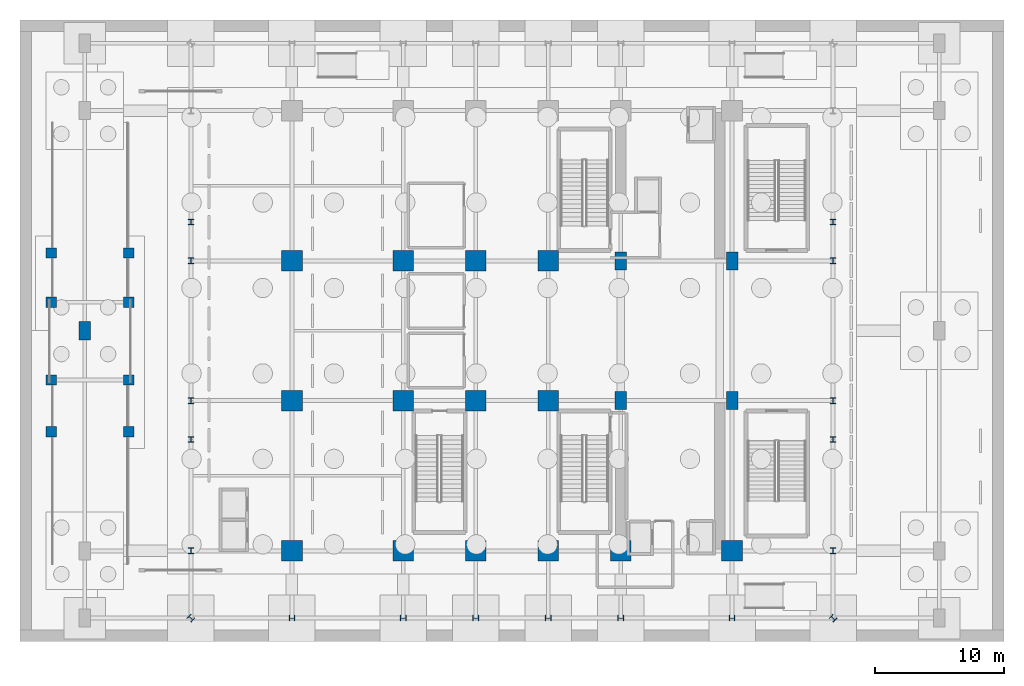
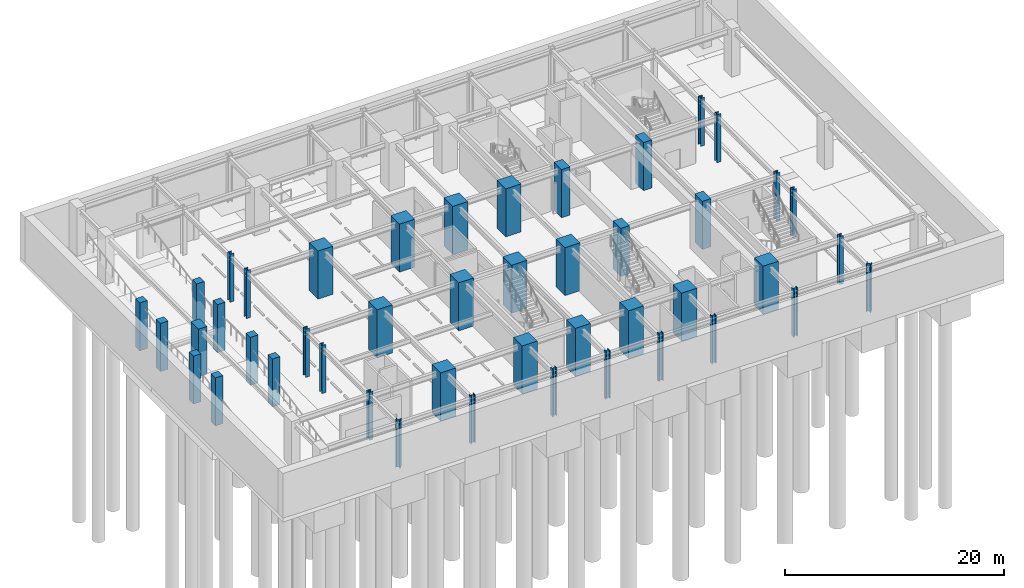
# One storey, part 2 of 14: 45 columns.
"""IFC4 building model written with IfcOpenShell, lengths in metres."""

from ifc_helpers import new_model, si_unit, direction, frame, origin, origin_2d, place, context, subcontext, project, spatial, rectangle, i_section, extrude, source, transform, mapped, material, material_profile, profile_set, type_object, element, save


model = new_model("IFC4")

# Units and contexts
model_context = context("Model", 3, precision=1e-05, world=origin(), true_north=direction((0.0, 1.0)))
body_context = subcontext(model_context, "Body", "Model", "MODEL_VIEW")
ifc_project = project(units=[si_unit("LENGTHUNIT", "METRE"), si_unit("AREAUNIT", "SQUARE_METRE"), si_unit("VOLUMEUNIT", "CUBIC_METRE"), si_unit("PLANEANGLEUNIT", "RADIAN"), si_unit("MASSUNIT", "GRAM", prefix="KILO")], contexts=[model_context])

# Site, building, storey
site_placement = place(None, origin())
site = spatial("IfcSite", under=ifc_project, at=site_placement, CompositionType="ELEMENT")
building_placement = place(site_placement, origin())
building = spatial("IfcBuilding", under=site, at=building_placement, Name="Nahalor Promenade Grand Hotel", CompositionType="ELEMENT")
storey_placement = place(building_placement, frame((0.0, 0.0, -10.800048828125)))
storey = spatial("IfcBuildingStorey", under=building, at=storey_placement, Name="B02", CompositionType="ELEMENT", Elevation=-10.800048828125)

# Columns
ifc_material_1 = material(Name="Concrete B-70 (C60/75)", Category="concrete")
ifc_material_profile_1 = material_profile(ifc_material_1, rectangle(XDim=1.6, YDim=1.6, at=origin_2d()), Name="RC 1600x1600")
ifc_profile_set_1 = profile_set([ifc_material_profile_1], Name="Concrete B-70 (C60/75)")
column_type_1 = type_object("IfcColumnType", Name="Col-RC-1600", PredefinedType="COLUMN", material=ifc_profile_set_1)
shared_shape_1 = source(origin(), body_context, "Body", "SweptSolid", [
    extrude(rectangle(XDim=1.6, YDim=1.6, at=origin_2d()), origin(), (0.0, 0.0, 1.0), 5.35498046875),
])
for number, where, z_axis, x_axis, name in (
    (1, (-17.0, -17.0, 0.0), (0.0, 0.0, 1.0), (1.0, 0.0, 0.0), "COL-B02-I00"),
    (2, (-17.0, -5.39990234375, 0.0), (0.0, 0.0, 1.0), (1.0, 0.0, 0.0), "COL-B02-I01"),
    (3, (-17.0, 5.39990234375, 0.0), (0.0, 0.0, 1.0), (1.0, 0.0, 0.0), "COL-B02-I02"),
    (4, (-8.39990234375, -17.0, 0.0), (0.0, 0.0, 1.0), (1.0, 0.0, 0.0), "COL-B02-I10"),
    (5, (-8.39990234375, -5.39990234375, 0.0), (0.0, 0.0, 1.0), (1.0, 0.0, 0.0), "COL-B02-I11"),
    (6, (-8.39990234375, 5.39990234375, 0.0), (0.0, 0.0, 1.0), (1.0, 0.0, 0.0), "COL-B02-I12"),
    (7, (-2.800048828125, -17.0, 0.0), (0.0, 0.0, 1.0), (1.0, 0.0, 0.0), "COL-B02-I20"),
    (8, (-2.800048828125, -5.39990234375, 0.0), (0.0, 0.0, 1.0), (1.0, 0.0, 0.0), "COL-B02-I21"),
    (9, (-2.800048828125, 5.39990234375, 0.0), (0.0, 0.0, 1.0), (1.0, 0.0, 0.0), "COL-B02-I22"),
    (10, (2.800048828125, -17.0, 0.0), (0.0, 0.0, 1.0), (1.0, 0.0, 0.0), "COL-B02-I30"),
    (11, (2.800048828125, -5.39990234375, 0.0), (0.0, 0.0, 1.0), (1.0, 0.0, 0.0), "COL-B02-I31"),
    (12, (2.800048828125, 5.39990234375, 0.0), (0.0, 0.0, 1.0), (1.0, 0.0, 0.0), "COL-B02-I32"),
    (13, (8.39990234375, -17.0, 0.0), (0.0, 0.0, 1.0), (1.0, 0.0, 0.0), "COL-B02-I40"),
    (14, (17.0, -17.0, 0.0), (0.0, 0.0, 1.0), (1.0, 0.0, 0.0), "COL-B02-I50"),
):
    element("IfcColumn", number, at=place(storey_placement, frame(where, z_axis=z_axis, x_axis=x_axis)), inside=storey, type_object=column_type_1, Name=name, PredefinedType="COLUMN", context=body_context, shape_type="MappedRepresentation", body=[
        mapped(shared_shape_1, transform((0.0, 0.0, 0.0), scale=1.0)),
    ])
ifc_material_2 = material(Name="Concrete B-60 (C50/60)", Category="concrete")
ifc_material_profile_2 = material_profile(ifc_material_2, rectangle(XDim=0.9, YDim=1.4, at=origin_2d()), Name="RC 900x1400")
ifc_profile_set_2 = profile_set([ifc_material_profile_2], Name="Concrete B-60 (C50/60)")
column_type_2 = type_object("IfcColumnType", Name="Col-Pilaster-1400", PredefinedType="PILASTER", material=ifc_profile_set_2)
shared_shape_2 = source(origin(), body_context, "Body", "SweptSolid", [
    extrude(rectangle(XDim=0.9, YDim=1.4, at=origin_2d()), origin(), (0.0, 0.0, 1.0), 5.35498046875),
])
for number, where, z_axis, x_axis, name in (
    (15, (8.39990234375, -5.39990234375, 0.0), (0.0, 0.0, 1.0), (1.0, 0.0, 0.0), "COL-B02-I41"),
    (16, (8.39990234375, 5.39990234375, 0.0), (0.0, 0.0, 1.0), (1.0, 0.0, 0.0), "COL-B02-I42"),
    (17, (17.0, -5.39990234375, 0.0), (0.0, 0.0, 1.0), (1.0, 0.0, 0.0), "COL-B02-I51"),
    (18, (17.0, 5.39990234375, 0.0), (0.0, 0.0, 1.0), (1.0, 0.0, 0.0), "COL-B02-I52"),
    (19, (-33.0, 0.0, 0.0), (0.0, 0.0, 1.0), (1.0, 0.0, 0.0), "COL-B02-PC-W2"),
):
    element("IfcColumn", number, at=place(storey_placement, frame(where, z_axis=z_axis, x_axis=x_axis)), inside=storey, type_object=column_type_2, Name=name, PredefinedType="PILASTER", context=body_context, shape_type="MappedRepresentation", body=[
        mapped(shared_shape_2, transform((0.0, 0.0, 0.0), scale=1.0)),
    ])
ifc_material_3 = material(Name="Concrete B-50 (C40/50)", Category="concrete")
ifc_material_profile_3 = material_profile(ifc_material_3, rectangle(XDim=0.8, YDim=0.8, at=origin_2d()), Name="RC 800x800")
ifc_profile_set_3 = profile_set([ifc_material_profile_3], Name="Concrete B-50 (C40/50)")
column_type_3 = type_object("IfcColumnType", Name="Col-RC-800", PredefinedType="COLUMN", material=ifc_profile_set_3)
shared_shape_3 = source(origin(), body_context, "Body", "SweptSolid", [
    extrude(rectangle(XDim=0.8, YDim=0.8, at=origin_2d()), origin(), (0.0, 0.0, 1.0), 5.35498046875),
])
for number, where, z_axis, x_axis, name in (
    (20, (-35.60009765625, -7.800048828125, 0.0), (0.0, 0.0, 1.0), (1.0, 0.0, 0.0), "COL-B02-RMP-1"),
    (21, (-29.60009765625, -7.800048828125, 0.0), (0.0, 0.0, 1.0), (1.0, 0.0, 0.0), "COL-B02-RMP-2"),
    (22, (-35.60009765625, -3.800048828125, 0.0), (0.0, 0.0, 1.0), (1.0, 0.0, 0.0), "COL-B02-RMP-3"),
    (23, (-29.60009765625, -3.800048828125, 0.0), (0.0, 0.0, 1.0), (1.0, 0.0, 0.0), "COL-B02-RMP-4"),
    (24, (-35.60009765625, 2.199951171875, 0.0), (0.0, 0.0, 1.0), (1.0, 0.0, 0.0), "COL-B02-RMP-5"),
    (25, (-29.60009765625, 2.199951171875, 0.0), (0.0, 0.0, 1.0), (1.0, 0.0, 0.0), "COL-B02-RMP-6"),
    (26, (-35.60009765625, 6.0, 0.0), (0.0, 0.0, 1.0), (1.0, 0.0, 0.0), "COL-B02-RMP-7"),
    (27, (-29.60009765625, 6.0, 0.0), (0.0, 0.0, 1.0), (1.0, 0.0, 0.0), "COL-B02-RMP-8"),
):
    element("IfcColumn", number, at=place(storey_placement, frame(where, z_axis=z_axis, x_axis=x_axis)), inside=storey, type_object=column_type_3, Name=name, PredefinedType="COLUMN", context=body_context, shape_type="MappedRepresentation", body=[
        mapped(shared_shape_3, transform((0.0, 0.0, 0.0), scale=1.0)),
    ])
ifc_material_4 = material(Name="Steel S355J2", Category="steel")
ifc_material_profile_4 = material_profile(ifc_material_4, i_section(OverallWidth=0.416, OverallDepth=0.446, WebThickness=0.025, FlangeThickness=0.04, at=origin_2d()), Name="HD 400x509")
ifc_profile_set_4 = profile_set([ifc_material_profile_4], Name="Steel S355J2")
column_type_4 = type_object("IfcColumnType", Name="Col-Steel-HD509", PredefinedType="COLUMN", material=ifc_profile_set_4)
shared_shape_4 = source(origin(), body_context, "Body", "SweptSolid", [
    extrude(i_section(OverallWidth=0.416, OverallDepth=0.446, WebThickness=0.025, FlangeThickness=0.04, at=origin_2d()), origin(), (0.0, 0.0, 1.0), 5.35498046875),
])
for number, where, z_axis, x_axis, name in (
    (28, (-24.800048828125, -17.0, 0.0), (0.0, 0.0, 1.0), (1.0, 0.0, 0.0), "COL-B02-PW-W0"),
    (29, (24.800048828125, -17.0, 0.0), (0.0, 0.0, 1.0), (1.0, 0.0, 0.0), "COL-B02-PW-E0"),
    (30, (-24.800048828125, -8.39990234375, 0.0), (0.0, 0.0, 1.0), (1.0, 0.0, 0.0), "COL-B02-PW-W1"),
    (31, (24.800048828125, -8.39990234375, 0.0), (0.0, 0.0, 1.0), (1.0, 0.0, 0.0), "COL-B02-PW-E1"),
    (32, (-24.800048828125, -5.39990234375, 0.0), (0.0, 0.0, 1.0), (1.0, 0.0, 0.0), "COL-B02-PW-W2"),
    (33, (24.800048828125, -5.39990234375, 0.0), (0.0, 0.0, 1.0), (1.0, 0.0, 0.0), "COL-B02-PW-E2"),
    (34, (-24.800048828125, 5.39990234375, 0.0), (0.0, 0.0, 1.0), (1.0, 0.0, 0.0), "COL-B02-PW-W3"),
    (35, (24.800048828125, 5.39990234375, 0.0), (0.0, 0.0, 1.0), (1.0, 0.0, 0.0), "COL-B02-PW-E3"),
    (36, (-24.800048828125, 8.39990234375, 0.0), (0.0, 0.0, 1.0), (1.0, 0.0, 0.0), "COL-B02-PW-W4"),
    (37, (24.800048828125, 8.39990234375, 0.0), (0.0, 0.0, 1.0), (1.0, 0.0, 0.0), "COL-B02-PW-E4"),
    (38, (-17.0, -22.199951171875, 0.0), (0.0, 0.0, 1.0), (0.0, 1.0, 0.0), "COL-B02-PN-S0"),
    (39, (-8.39990234375, -22.199951171875, 0.0), (0.0, 0.0, 1.0), (0.0, 1.0, 0.0), "COL-B02-PN-S1"),
    (40, (-2.800048828125, -22.199951171875, 0.0), (0.0, 0.0, 1.0), (0.0, 1.0, 0.0), "COL-B02-PN-S2"),
    (41, (2.800048828125, -22.199951171875, 0.0), (0.0, 0.0, 1.0), (0.0, 1.0, 0.0), "COL-B02-PN-S3"),
    (42, (8.39990234375, -22.199951171875, 0.0), (0.0, 0.0, 1.0), (0.0, 1.0, 0.0), "COL-B02-PN-S4"),
    (43, (17.0, -22.199951171875, 0.0), (0.0, 0.0, 1.0), (0.0, 1.0, 0.0), "COL-B02-PN-S5"),
    (44, (-24.800048828125, -22.199951171875, 0.0), (0.0, 0.0, 1.0), (0.707106781187, 0.707106781187, 0.0), "COL-B02-CRN-SW"),
    (45, (24.800048828125, -22.199951171875, 0.0), (0.0, 0.0, 1.0), (0.707106781187, 0.707106781187, 0.0), "COL-B02-CRN-SE"),
):
    element("IfcColumn", number, at=place(storey_placement, frame(where, z_axis=z_axis, x_axis=x_axis)), inside=storey, type_object=column_type_4, Name=name, PredefinedType="COLUMN", context=body_context, shape_type="MappedRepresentation", body=[
        mapped(shared_shape_4, transform((0.0, 0.0, 0.0), scale=1.0)),
    ])

save(model, "model.ifc")
